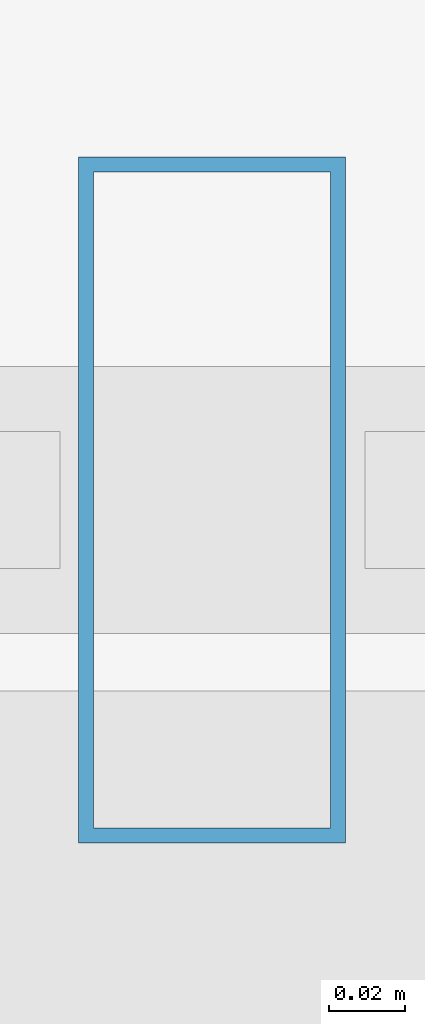
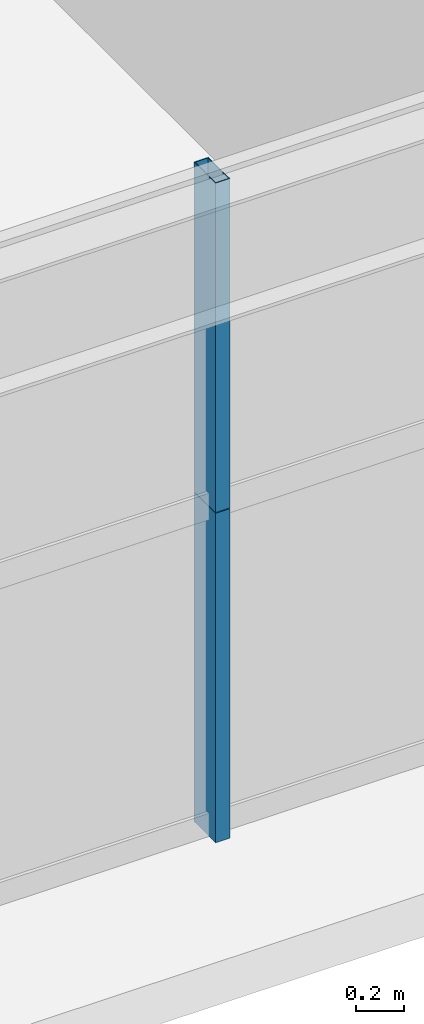
# One storey, part 7 of 43: 2 members, 1 element without a shape of its own.
"""IFC4 building model written with IfcOpenShell, lengths in metres."""

from ifc_helpers import new_model, si_unit, direction, frame, origin, origin_2d, place, context, subcontext, project, spatial, hollow_rectangle, extrude, source, transform, mapped, material, layer, layer_set, material_profile, profile_set, type_object, element, aggregate, save


model = new_model("IFC4")

# Units and contexts
model_context = context("Model", 3, precision=1e-05, world=origin(), true_north=direction((0.0, 1.0)))
body_context = subcontext(model_context, "Body", "Model", "MODEL_VIEW")
ifc_project = project(units=[si_unit("LENGTHUNIT", "METRE"), si_unit("AREAUNIT", "SQUARE_METRE"), si_unit("VOLUMEUNIT", "CUBIC_METRE"), si_unit("PLANEANGLEUNIT", "RADIAN"), si_unit("MASSUNIT", "GRAM", prefix="KILO"), si_unit("THERMODYNAMICTEMPERATUREUNIT", "KELVIN"), si_unit("POWERUNIT", "WATT")], contexts=[model_context])

# Site, building, storey
site_placement = place(None, origin())
site = spatial("IfcSite", under=ifc_project, at=site_placement, CompositionType="ELEMENT")
building_placement = place(site_placement, origin())
building = spatial("IfcBuilding", under=site, at=building_placement, Name="Yuzanri Waterfront Tower", CompositionType="ELEMENT")
storey_placement = place(building_placement, frame((0.0, 0.0, 64.0)))
storey = spatial("IfcBuildingStorey", under=building, at=storey_placement, Name="L16", CompositionType="ELEMENT", Elevation=64.0)

# Curtain wall, members
ifc_material_1 = material(Name="Anodized Architectural Bronze", Category="metal")
ifc_layer = layer(ifc_material_1, 0.159912109375)
ifc_layer_set = layer_set([ifc_layer], Name="Anodized Architectural Bronze")
curtain_wall_type = type_object("IfcCurtainWallType", Name="Anodized Bronze Hotel Lower-Tier Recessed Unitized Curtain Wall 8100", PredefinedType="NOTDEFINED", material=ifc_layer_set)
curtain_wall_placement = place(storey_placement, origin())
curtain_wall = element("IfcCurtainWall", 1, at=curtain_wall_placement, inside=storey, type_object=curtain_wall_type, Name="L16 Curtain Wall CW-L16-SL", PredefinedType="NOTDEFINED")
ifc_material_2 = material(Name="Anodized Architectural Bronze", Category="metal")
ifc_material_profile = material_profile(ifc_material_2, hollow_rectangle(XDim=0.070068359375, YDim=0.179931640625, WallThickness=0.00390625, at=origin_2d()), Name="CWM 70x180")
ifc_profile_set = profile_set([ifc_material_profile], Name="Anodized Architectural Bronze")
member_type = type_object("IfcMemberType", Name="Anodized Bronze Standard Curtain-Wall Mullion 70x180", PredefinedType="MULLION", material=ifc_profile_set)
shared_shape = source(origin(), body_context, "Body", "SweptSolid", [
    extrude(hollow_rectangle(XDim=0.070068359375, YDim=0.179931640625, WallThickness=0.00390625, at=origin_2d()), origin(), (0.0, 0.0, 1.0), 1.68798828125),
])
member_1_placement = place(storey_placement, frame((27.89990234375, 0.85009765625, 0.0), z_axis=(0.0, 0.0, 1.0), x_axis=(1.0, 0.0, 0.0)))
member_1 = element("IfcMember", 2, at=member_1_placement, type_object=member_type, Name="CW-L16-SL Lower Mullion 01", PredefinedType="MULLION", context=body_context, shape_type="MappedRepresentation", body=[
    mapped(shared_shape, transform((0.0, 0.0, 0.0), scale=1.0)),
])
member_2_placement = place(storey_placement, frame((27.89990234375, 0.85009765625, 1.69189453125), z_axis=(0.0, 0.0, 1.0), x_axis=(1.0, 0.0, 0.0)))
member_2 = element("IfcMember", 3, at=member_2_placement, type_object=member_type, Name="CW-L16-SL Upper Mullion 01", PredefinedType="MULLION", context=body_context, shape_type="MappedRepresentation", body=[
    mapped(shared_shape, transform((0.0, 0.0, 0.0), scale=1.0)),
])
aggregate(curtain_wall, [member_1, member_2])

save(model, "model.ifc")
